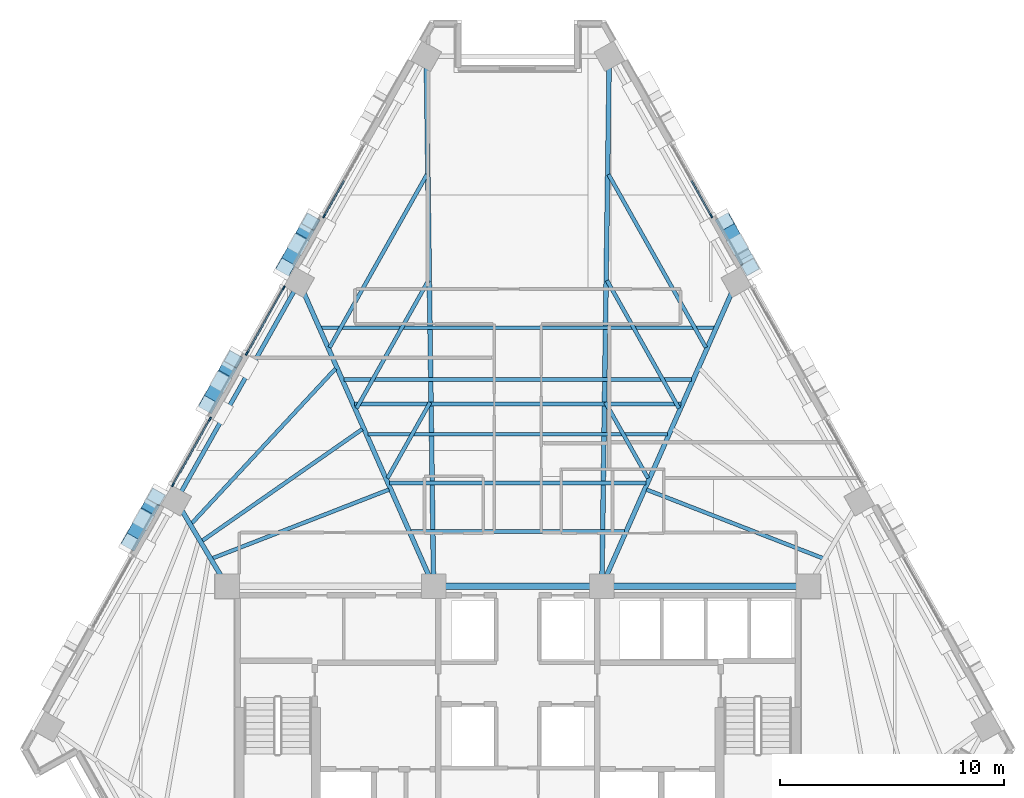
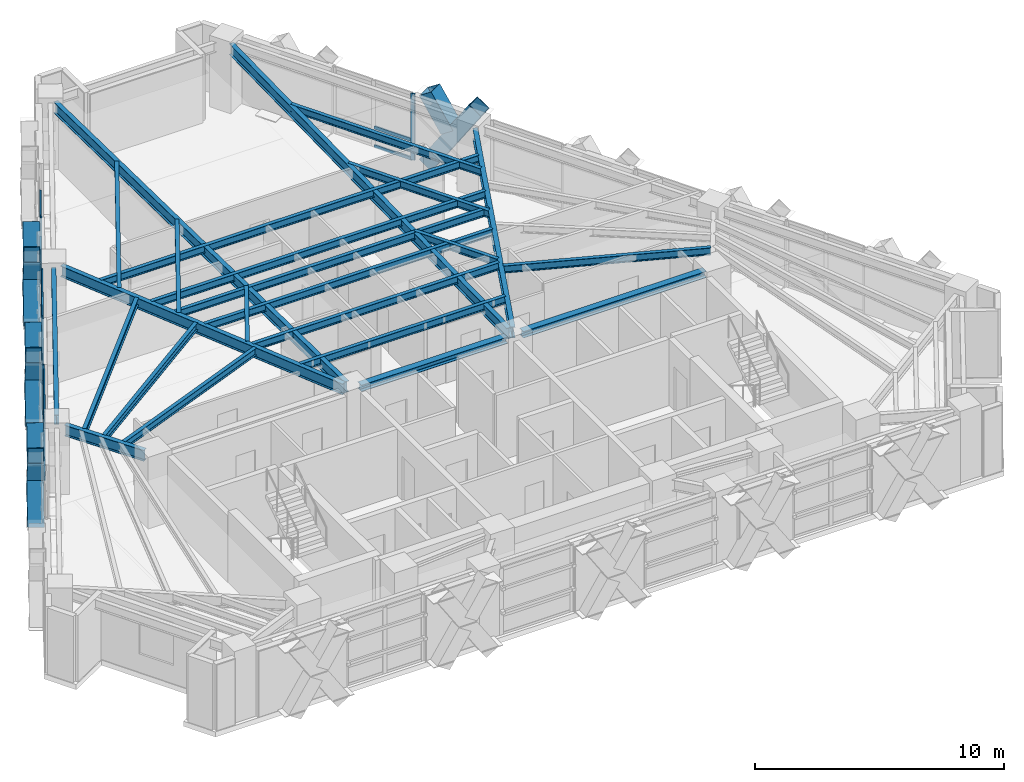
# One storey, part 3 of 14: 28 members, 24 beams, 4 elements without a shape of their own.
"""IFC4 building model written with IfcOpenShell, lengths in metres."""

from ifc_helpers import new_model, si_unit, direction, frame, origin, origin_2d, place, context, subcontext, project, spatial, rectangle, hollow_rectangle, i_section, extrude, material, material_profile, profile_set, type_object, element, aggregate, save


model = new_model("IFC4")

# Units and contexts
model_context = context("Model", 3, precision=1e-05, world=origin(), true_north=direction((0.0, 1.0)))
body_context = subcontext(model_context, "Body", "Model", "MODEL_VIEW")
ifc_project = project(units=[si_unit("LENGTHUNIT", "METRE"), si_unit("AREAUNIT", "SQUARE_METRE"), si_unit("VOLUMEUNIT", "CUBIC_METRE"), si_unit("PLANEANGLEUNIT", "RADIAN"), si_unit("MASSUNIT", "GRAM", prefix="KILO")], contexts=[model_context])

# Site, building, storey
site_placement = place(None, origin())
site = spatial("IfcSite", under=ifc_project, at=site_placement, CompositionType="ELEMENT")
building_placement = place(site_placement, origin())
building = spatial("IfcBuilding", under=site, at=building_placement, Name="Quenlor Broadcast Tower", CompositionType="ELEMENT")
storey_placement = place(building_placement, frame((0.0, 0.0, 165.0)))
storey = spatial("IfcBuildingStorey", under=building, at=storey_placement, Name="L45", CompositionType="ELEMENT", Elevation=165.0)

# Curtain wall, member
ifc_material_1 = material(Name="Architectural Terracotta and Low-E Glazing", Category="masonry")
curtain_wall_type = type_object("IfcCurtainWallType", Name="Unitised Terracotta Curtain Wall System Z3", PredefinedType="NOTDEFINED", material=ifc_material_1)
curtain_wall_1_placement = place(storey_placement, origin())
curtain_wall_1 = element("IfcCurtainWall", 1, at=curtain_wall_1_placement, inside=storey, type_object=curtain_wall_type, Name="L45 Curtain Wall CW3 (L45-NEA-G1)", PredefinedType="NOTDEFINED")
ifc_material_2 = material(Name="Aluminium 6063-T6", Category="aluminium")
ifc_material_profile_1 = material_profile(ifc_material_2, rectangle(XDim=0.070068359375, YDim=0.18994140625, at=origin_2d()))
ifc_profile_set_1 = profile_set([ifc_material_profile_1], Name="Aluminium 6063-T6 MULL70x190")
member_type_1 = type_object("IfcMemberType", Name="CW3 Aluminium Mullion MULL_CW3", PredefinedType="MULLION", material=ifc_profile_set_1)
member_1_placement = place(storey_placement, frame((8.62353515625, 11.71240234375, 0.0), z_axis=(0.0, 0.0, 1.0), x_axis=(0.871570530637, 0.490270139949, 0.0)))
member_1 = element("IfcMember", 2, at=member_1_placement, type_object=member_type_1, Name="CW3 mullion 3", PredefinedType="MULLION", context=body_context, shape_type="SweptSolid", body=[
    extrude(rectangle(XDim=0.070068359375, YDim=0.18994140625, at=origin_2d()), origin(), (0.0, 0.0, 1.0), 3.25),
])

curtain_wall_2_placement = place(storey_placement, origin())
curtain_wall_2 = element("IfcCurtainWall", 3, at=curtain_wall_2_placement, inside=storey, type_object=curtain_wall_type, Name="L45 Curtain Wall CW3 (L45-NWC-G1)", PredefinedType="NOTDEFINED")
member_2_placement = place(storey_placement, frame((-8.62353515625, 11.71240234375, 0.0), z_axis=(0.0, 0.0, 1.0), x_axis=(-0.871570530637, 0.490270139949, 0.0)))
member_2 = element("IfcMember", 4, at=member_2_placement, type_object=member_type_1, Name="CW3 mullion 1", PredefinedType="MULLION", context=body_context, shape_type="SweptSolid", body=[
    extrude(rectangle(XDim=0.070068359375, YDim=0.18994140625, at=origin_2d()), origin(), (0.0, 0.0, 1.0), 3.25),
])

# Curtain wall, members
curtain_wall_3_placement = place(storey_placement, origin())
curtain_wall_3 = element("IfcCurtainWall", 5, at=curtain_wall_3_placement, inside=storey, type_object=curtain_wall_type, Name="L45 Curtain Wall CW3 (L45-NW-G1)", PredefinedType="NOTDEFINED")
member_3_placement = place(storey_placement, frame((-15.365966796875, -0.274169921875, 0.0), z_axis=(0.0, 0.0, 1.0), x_axis=(-0.871571633105, 0.490268180048, 0.0)))
member_3 = element("IfcMember", 6, at=member_3_placement, type_object=member_type_1, Name="CW3 mullion 1", PredefinedType="MULLION", context=body_context, shape_type="SweptSolid", body=[
    extrude(rectangle(XDim=0.070068359375, YDim=0.18994140625, at=origin_2d()), origin(), (0.0, 0.0, 1.0), 3.25),
])
member_4_placement = place(storey_placement, frame((-13.723388671875, 2.64599609375, 0.0), z_axis=(0.0, 0.0, 1.0), x_axis=(-0.871571633105, 0.490268180048, 0.0)))
member_4 = element("IfcMember", 7, at=member_4_placement, type_object=member_type_1, Name="CW3 mullion 2", PredefinedType="MULLION", context=body_context, shape_type="SweptSolid", body=[
    extrude(rectangle(XDim=0.070068359375, YDim=0.18994140625, at=origin_2d()), origin(), (0.0, 0.0, 1.0), 3.25),
])

curtain_wall_4_placement = place(storey_placement, origin())
curtain_wall_4 = element("IfcCurtainWall", 8, at=curtain_wall_4_placement, inside=storey, type_object=curtain_wall_type, Name="L45 Curtain Wall CW3 (L45-NW-G2)", PredefinedType="NOTDEFINED")
member_5_placement = place(storey_placement, frame((-12.071533203125, 5.582275390625, 0.0), z_axis=(0.0, 0.0, 1.0), x_axis=(-0.871578660222, 0.490255687418, 0.0)))
member_5 = element("IfcMember", 9, at=member_5_placement, type_object=member_type_1, Name="CW3 mullion 1", PredefinedType="MULLION", context=body_context, shape_type="SweptSolid", body=[
    extrude(rectangle(XDim=0.070068359375, YDim=0.18994140625, at=origin_2d()), origin(), (0.0, 0.0, 1.0), 3.25),
])
member_6_placement = place(storey_placement, frame((-10.428955078125, 8.50244140625, 0.0), z_axis=(0.0, 0.0, 1.0), x_axis=(-0.871578660222, 0.490255687418, 0.0)))
member_6 = element("IfcMember", 10, at=member_6_placement, type_object=member_type_1, Name="CW3 mullion 2", PredefinedType="MULLION", context=body_context, shape_type="SweptSolid", body=[
    extrude(rectangle(XDim=0.070068359375, YDim=0.18994140625, at=origin_2d()), origin(), (0.0, 0.0, 1.0), 3.25),
])

# Member
ifc_material_3 = material(Name="Aluminium 6063-T6", Category="aluminium")
ifc_material_profile_2 = material_profile(ifc_material_3, rectangle(XDim=0.070068359375, YDim=0.155029296875, at=origin_2d()))
ifc_profile_set_2 = profile_set([ifc_material_profile_2], Name="Aluminium 6063-T6 TRAN70x155")
member_type_2 = type_object("IfcMemberType", Name="CW3 Aluminium Transom TRAN_CW3", PredefinedType="USERDEFINED", material=ifc_profile_set_2)
member_7_placement = place(storey_placement, frame((7.742431640625, 13.278564453125, 0.034912109375), z_axis=(0.490353334151, -0.871523727553, 0.0), x_axis=(0.871523727553, 0.490353334151, 0.0)))
member_7 = element("IfcMember", 11, at=member_7_placement, type_object=member_type_2, Name="CW3 transom 2.1", ObjectType="TRANSOM", PredefinedType="USERDEFINED", context=body_context, shape_type="SweptSolid", body=[
    extrude(rectangle(XDim=0.070068359375, YDim=0.155029296875, at=origin_2d()), origin(), (0.0, 0.0, 1.0), 1.761962890625),
])

member_8_placement = place(storey_placement, frame((7.742431640625, 13.278564453125, 0.949951171875), z_axis=(0.490353334151, -0.871523727553, 0.0), x_axis=(0.871523727553, 0.490353334151, 0.0)))
member_8 = element("IfcMember", 12, at=member_8_placement, type_object=member_type_2, Name="CW3 transom 2.2", ObjectType="TRANSOM", PredefinedType="USERDEFINED", context=body_context, shape_type="SweptSolid", body=[
    extrude(rectangle(XDim=0.070068359375, YDim=0.155029296875, at=origin_2d()), origin(), (0.0, 0.0, 1.0), 1.761962890625),
])

aggregate(curtain_wall_1, [member_1, member_7, member_8])

member_9_placement = place(storey_placement, frame((-8.6064453125, 11.742919921875, 0.034912109375), z_axis=(0.490353334151, 0.871523727553, 0.0), x_axis=(-0.871523727553, 0.490353334151, 0.0)))
member_9 = element("IfcMember", 13, at=member_9_placement, type_object=member_type_2, Name="CW3 transom 1.1", ObjectType="TRANSOM", PredefinedType="USERDEFINED", context=body_context, shape_type="SweptSolid", body=[
    extrude(rectangle(XDim=0.070068359375, YDim=0.155029296875, at=origin_2d()), origin(), (0.0, 0.0, 1.0), 1.761962890625),
])

member_10_placement = place(storey_placement, frame((-8.6064453125, 11.742919921875, 0.949951171875), z_axis=(0.490353334151, 0.871523727553, 0.0), x_axis=(-0.871523727553, 0.490353334151, 0.0)))
member_10 = element("IfcMember", 14, at=member_10_placement, type_object=member_type_2, Name="CW3 transom 1.2", ObjectType="TRANSOM", PredefinedType="USERDEFINED", context=body_context, shape_type="SweptSolid", body=[
    extrude(rectangle(XDim=0.070068359375, YDim=0.155029296875, at=origin_2d()), origin(), (0.0, 0.0, 1.0), 1.761962890625),
])

member_11_placement = place(storey_placement, frame((-8.6064453125, 11.742919921875, 3.215087890625), z_axis=(0.490353334151, 0.871523727553, 0.0), x_axis=(-0.871523727553, 0.490353334151, 0.0)))
member_11 = element("IfcMember", 15, at=member_11_placement, type_object=member_type_2, Name="CW3 transom 1.3", ObjectType="TRANSOM", PredefinedType="USERDEFINED", context=body_context, shape_type="SweptSolid", body=[
    extrude(rectangle(XDim=0.070068359375, YDim=0.155029296875, at=origin_2d()), origin(), (0.0, 0.0, 1.0), 1.761962890625),
])

aggregate(curtain_wall_2, [member_2, member_9, member_10, member_11])

member_12_placement = place(storey_placement, frame((-15.348876953125, -0.24365234375, 0.034912109375), z_axis=(0.490293039863, 0.871557648731, 0.0), x_axis=(-0.871557648731, 0.490293039863, 0.0)))
member_12 = element("IfcMember", 16, at=member_12_placement, type_object=member_type_2, Name="CW3 transom 1.1", ObjectType="TRANSOM", PredefinedType="USERDEFINED", context=body_context, shape_type="SweptSolid", body=[
    extrude(rectangle(XDim=0.070068359375, YDim=0.155029296875, at=origin_2d()), origin(), (0.0, 0.0, 1.0), 3.280517578125),
])

member_13_placement = place(storey_placement, frame((-15.348876953125, -0.24365234375, 0.949951171875), z_axis=(0.490293039863, 0.871557648731, 0.0), x_axis=(-0.871557648731, 0.490293039863, 0.0)))
member_13 = element("IfcMember", 17, at=member_13_placement, type_object=member_type_2, Name="CW3 transom 1.2", ObjectType="TRANSOM", PredefinedType="USERDEFINED", context=body_context, shape_type="SweptSolid", body=[
    extrude(rectangle(XDim=0.070068359375, YDim=0.155029296875, at=origin_2d()), origin(), (0.0, 0.0, 1.0), 3.280517578125),
])

member_14_placement = place(storey_placement, frame((-15.348876953125, -0.24365234375, 3.215087890625), z_axis=(0.490293039863, 0.871557648731, 0.0), x_axis=(-0.871557648731, 0.490293039863, 0.0)))
member_14 = element("IfcMember", 18, at=member_14_placement, type_object=member_type_2, Name="CW3 transom 1.3", ObjectType="TRANSOM", PredefinedType="USERDEFINED", context=body_context, shape_type="SweptSolid", body=[
    extrude(rectangle(XDim=0.070068359375, YDim=0.155029296875, at=origin_2d()), origin(), (0.0, 0.0, 1.0), 3.280517578125),
])

aggregate(curtain_wall_3, [member_3, member_4, member_12, member_13, member_14])

member_15_placement = place(storey_placement, frame((-12.054443359375, 5.61279296875, 0.034912109375), z_axis=(0.490236504766, 0.871589450025, 0.0), x_axis=(-0.871589450025, 0.490236504766, 0.0)))
member_15 = element("IfcMember", 19, at=member_15_placement, type_object=member_type_2, Name="CW3 transom 1.1", ObjectType="TRANSOM", PredefinedType="USERDEFINED", context=body_context, shape_type="SweptSolid", body=[
    extrude(rectangle(XDim=0.070068359375, YDim=0.155029296875, at=origin_2d()), origin(), (0.0, 0.0, 1.0), 3.2802734375),
])

member_16_placement = place(storey_placement, frame((-12.054443359375, 5.61279296875, 0.949951171875), z_axis=(0.490236504766, 0.871589450025, 0.0), x_axis=(-0.871589450025, 0.490236504766, 0.0)))
member_16 = element("IfcMember", 20, at=member_16_placement, type_object=member_type_2, Name="CW3 transom 1.2", ObjectType="TRANSOM", PredefinedType="USERDEFINED", context=body_context, shape_type="SweptSolid", body=[
    extrude(rectangle(XDim=0.070068359375, YDim=0.155029296875, at=origin_2d()), origin(), (0.0, 0.0, 1.0), 3.2802734375),
])

member_17_placement = place(storey_placement, frame((-12.054443359375, 5.61279296875, 3.215087890625), z_axis=(0.490236504766, 0.871589450025, 0.0), x_axis=(-0.871589450025, 0.490236504766, 0.0)))
member_17 = element("IfcMember", 21, at=member_17_placement, type_object=member_type_2, Name="CW3 transom 1.3", ObjectType="TRANSOM", PredefinedType="USERDEFINED", context=body_context, shape_type="SweptSolid", body=[
    extrude(rectangle(XDim=0.070068359375, YDim=0.155029296875, at=origin_2d()), origin(), (0.0, 0.0, 1.0), 3.2802734375),
])

aggregate(curtain_wall_4, [member_5, member_6, member_15, member_16, member_17])

# Beams
ifc_material_4 = material(Name="Steel S355", Category="steel")
ifc_material_profile_3 = material_profile(ifc_material_4, i_section(OverallWidth=0.304931640625, OverallDepth=0.30810546875, WebThickness=0.010009765625, FlangeThickness=0.015380859375, FilletRadius=0.0166015625, at=origin_2d()))
ifc_profile_set_3 = profile_set([ifc_material_profile_3], Name="Steel S355 310UC96.8")
beam_type_1 = type_object("IfcBeamType", Name="Core Header Beam Steel S355 310UC96.8", PredefinedType="BEAM", material=ifc_profile_set_3)
beam_1_placement = place(storey_placement, frame((-3.389892578125, -4.800048828125, 3.095947265625), z_axis=(1.0, 0.0, 0.0), x_axis=(0.0, 1.0, 0.0)))
element("IfcBeam", 22, at=beam_1_placement, inside=storey, type_object=beam_type_1, Name="L45 Core Header Beam 2", PredefinedType="BEAM", context=body_context, shape_type="SweptSolid", body=[
    extrude(i_section(OverallWidth=0.304931640625, OverallDepth=0.30810546875, WebThickness=0.010009765625, FlangeThickness=0.015380859375, FilletRadius=0.0166015625, at=origin_2d()), origin(), (0.0, 0.0, 1.0), 6.77978515625),
])
ifc_material_5 = material(Name="Steel S355", Category="steel")
ifc_material_profile_4 = material_profile(ifc_material_5, i_section(OverallWidth=0.306884765625, OverallDepth=0.314697265625, WebThickness=0.011962890625, FlangeThickness=0.018798828125, FilletRadius=0.0166015625, at=origin_2d()))
ifc_profile_set_4 = profile_set([ifc_material_profile_4], Name="Steel S355 310UC118")
beam_type_2 = type_object("IfcBeamType", Name="Core Tie Beam Steel S355 310UC118", PredefinedType="BEAM", material=ifc_profile_set_4)
beam_2_placement = place(storey_placement, frame((4.110107421875, -4.800048828125, 3.0927734375), z_axis=(1.0, 0.0, 0.0), x_axis=(0.0, 1.0, 0.0)))
element("IfcBeam", 23, at=beam_2_placement, inside=storey, type_object=beam_type_2, Name="L45 Core Tie Beam 3", PredefinedType="BEAM", context=body_context, shape_type="SweptSolid", body=[
    extrude(i_section(OverallWidth=0.306884765625, OverallDepth=0.314697265625, WebThickness=0.011962890625, FlangeThickness=0.018798828125, FilletRadius=0.0166015625, at=origin_2d()), origin(), (0.0, 0.0, 1.0), 8.47998046875),
])

# Members
ifc_material_6 = material(Name="Steel S355", Category="steel")
ifc_material_profile_5 = material_profile(ifc_material_6, hollow_rectangle(XDim=0.679931640625, YDim=0.679931640625, WallThickness=0.02490234375, at=origin_2d()))
ifc_profile_set_5 = profile_set([ifc_material_profile_5], Name="Steel S355 RHS680x680x25")
member_type_3 = type_object("IfcMemberType", Name="Perimeter Diagonal Lattice Brace Z3-Z4 Steel S355 RHS680x25", PredefinedType="BRACE", material=ifc_profile_set_5)
member_18_placement = place(storey_placement, frame((9.225830078125, 11.447265625, -0.1201171875), z_axis=(0.27060310517, -0.481001091283, 0.833913610428), x_axis=(0.871544572467, 0.490316283845, 0.0)))
element("IfcMember", 24, at=member_18_placement, inside=storey, type_object=member_type_3, Name="L45 Perimeter Diamond Lattice NE-C2XA", PredefinedType="BRACE", context=body_context, shape_type="SweptSolid", body=[
    extrude(hollow_rectangle(XDim=0.679931640625, YDim=0.679931640625, WallThickness=0.02490234375, at=origin_2d()), origin(), (0.0, 0.0, 1.0), 4.197021484375),
])
member_19_placement = place(storey_placement, frame((9.72607421875, 10.55810546875, 1.83837890625), z_axis=(-0.270616433058, 0.481007832697, 0.833905396938), x_axis=(-0.871537189362, -0.490329407194, 0.0)))
element("IfcMember", 25, at=member_19_placement, inside=storey, type_object=member_type_3, Name="L45 Perimeter Diamond Lattice NE-C2XB2", PredefinedType="BRACE", context=body_context, shape_type="SweptSolid", body=[
    extrude(hollow_rectangle(XDim=0.679931640625, YDim=0.679931640625, WallThickness=0.02490234375, at=origin_2d()), origin(), (0.0, 0.0, 1.0), 1.8486328125),
])
member_20_placement = place(storey_placement, frame((-17.257568359375, -2.83154296875, -0.1201171875), z_axis=(0.2705491942, 0.481008661973, 0.833926735766), x_axis=(-0.871589611547, 0.490236217596, 0.0)))
element("IfcMember", 26, at=member_20_placement, inside=storey, type_object=member_type_3, Name="L45 Perimeter Diamond Lattice NW-C2XA", PredefinedType="BRACE", context=body_context, shape_type="SweptSolid", body=[
    extrude(hollow_rectangle(XDim=0.679931640625, YDim=0.679931640625, WallThickness=0.02490234375, at=origin_2d()), origin(), (0.0, 0.0, 1.0), 4.197021484375),
])
member_21_placement = place(storey_placement, frame((-16.1220703125, -0.812744140625, -0.1201171875), z_axis=(-0.270616433058, -0.481007832697, 0.833905396938), x_axis=(0.871537189362, -0.490329407194, 0.0)))
element("IfcMember", 27, at=member_21_placement, inside=storey, type_object=member_type_3, Name="L45 Perimeter Diamond Lattice NW-C2XB1", PredefinedType="BRACE", context=body_context, shape_type="SweptSolid", body=[
    extrude(hollow_rectangle(XDim=0.679931640625, YDim=0.679931640625, WallThickness=0.02490234375, at=origin_2d()), origin(), (0.0, 0.0, 1.0), 1.8486328125),
])
member_22_placement = place(storey_placement, frame((-16.757568359375, -1.9423828125, 1.83837890625), z_axis=(-0.270494026149, -0.481025021111, 0.833935195853), x_axis=(0.871639445711, -0.490147607034, 0.0)))
element("IfcMember", 28, at=member_22_placement, inside=storey, type_object=member_type_3, Name="L45 Perimeter Diamond Lattice NW-C2XB2", PredefinedType="BRACE", context=body_context, shape_type="SweptSolid", body=[
    extrude(hollow_rectangle(XDim=0.679931640625, YDim=0.679931640625, WallThickness=0.02490234375, at=origin_2d()), origin(), (0.0, 0.0, 1.0), 1.848388671875),
])
member_23_placement = place(storey_placement, frame((-13.8095703125, 3.298583984375, -0.1201171875), z_axis=(0.270556764115, 0.480963948764, 0.833950068878), x_axis=(-0.871564276035, 0.49028125881, 0.0)))
element("IfcMember", 29, at=member_23_placement, inside=storey, type_object=member_type_3, Name="L45 Perimeter Diamond Lattice NW-C3XA", PredefinedType="BRACE", context=body_context, shape_type="SweptSolid", body=[
    extrude(hollow_rectangle(XDim=0.679931640625, YDim=0.679931640625, WallThickness=0.02490234375, at=origin_2d()), origin(), (0.0, 0.0, 1.0), 4.19677734375),
])
member_24_placement = place(storey_placement, frame((-12.674072265625, 5.317138671875, -0.1201171875), z_axis=(-0.270616433058, -0.481007832697, 0.833905396938), x_axis=(0.871537189362, -0.490329407194, 0.0)))
element("IfcMember", 30, at=member_24_placement, inside=storey, type_object=member_type_3, Name="L45 Perimeter Diamond Lattice NW-C3XB1", PredefinedType="BRACE", context=body_context, shape_type="SweptSolid", body=[
    extrude(hollow_rectangle(XDim=0.679931640625, YDim=0.679931640625, WallThickness=0.02490234375, at=origin_2d()), origin(), (0.0, 0.0, 1.0), 1.8486328125),
])
member_25_placement = place(storey_placement, frame((-13.309326171875, 4.1875, 1.83837890625), z_axis=(-0.270633624024, -0.480906307989, 0.833958370954), x_axis=(0.871479637717, -0.49043168846, 0.0)))
element("IfcMember", 31, at=member_25_placement, inside=storey, type_object=member_type_3, Name="L45 Perimeter Diamond Lattice NW-C3XB2", PredefinedType="BRACE", context=body_context, shape_type="SweptSolid", body=[
    extrude(hollow_rectangle(XDim=0.679931640625, YDim=0.679931640625, WallThickness=0.02490234375, at=origin_2d()), origin(), (0.0, 0.0, 1.0), 1.848388671875),
])
member_26_placement = place(storey_placement, frame((-10.361572265625, 9.428466796875, -0.1201171875), z_axis=(0.27060310517, 0.481001091283, 0.833913610428), x_axis=(-0.871544572467, 0.490316283845, 0.0)))
element("IfcMember", 32, at=member_26_placement, inside=storey, type_object=member_type_3, Name="L45 Perimeter Diamond Lattice NW-C4XA", PredefinedType="BRACE", context=body_context, shape_type="SweptSolid", body=[
    extrude(hollow_rectangle(XDim=0.679931640625, YDim=0.679931640625, WallThickness=0.02490234375, at=origin_2d()), origin(), (0.0, 0.0, 1.0), 4.197021484375),
])
member_27_placement = place(storey_placement, frame((-9.225830078125, 11.447265625, -0.1201171875), z_axis=(-0.270616433058, -0.481007832697, 0.833905396938), x_axis=(0.871537189362, -0.490329407194, 0.0)))
element("IfcMember", 33, at=member_27_placement, inside=storey, type_object=member_type_3, Name="L45 Perimeter Diamond Lattice NW-C4XB1", PredefinedType="BRACE", context=body_context, shape_type="SweptSolid", body=[
    extrude(hollow_rectangle(XDim=0.679931640625, YDim=0.679931640625, WallThickness=0.02490234375, at=origin_2d()), origin(), (0.0, 0.0, 1.0), 1.8486328125),
])
member_28_placement = place(storey_placement, frame((-9.861328125, 10.3173828125, 1.83837890625), z_axis=(-0.270633624024, -0.480906307989, 0.833958370954), x_axis=(0.871479637717, -0.49043168846, 0.0)))
element("IfcMember", 34, at=member_28_placement, inside=storey, type_object=member_type_3, Name="L45 Perimeter Diamond Lattice NW-C4XB2", PredefinedType="BRACE", context=body_context, shape_type="SweptSolid", body=[
    extrude(hollow_rectangle(XDim=0.679931640625, YDim=0.679931640625, WallThickness=0.02490234375, at=origin_2d()), origin(), (0.0, 0.0, 1.0), 1.848388671875),
])

# Beams
ifc_material_7 = material(Name="Steel S355", Category="steel")
ifc_material_profile_6 = material_profile(ifc_material_7, i_section(OverallWidth=0.19091796875, OverallDepth=0.46044921875, WebThickness=0.010009765625, FlangeThickness=0.01611328125, FilletRadius=0.011474609375, at=origin_2d()))
ifc_profile_set_6 = profile_set([ifc_material_profile_6], Name="Steel S355 460UB82.1")
beam_type_3 = type_object("IfcBeamType", Name="Perimeter Spandrel Beam Z3 Steel S355 460UB82.1", PredefinedType="SPANDREL", material=ifc_profile_set_6)
beam_3_placement = place(storey_placement, frame((-9.944091796875, 8.39599609375, 3.019775390625), z_axis=(-0.490252288562, -0.871580572041, 0.0), x_axis=(0.871580572041, -0.490252288562, 0.0)))
element("IfcBeam", 35, at=beam_3_placement, inside=storey, type_object=beam_type_3, Name="L45 Spandrel Beam NW2-NW3", PredefinedType="SPANDREL", context=body_context, shape_type="SweptSolid", body=[
    extrude(i_section(OverallWidth=0.19091796875, OverallDepth=0.46044921875, WebThickness=0.010009765625, FlangeThickness=0.01611328125, FilletRadius=0.011474609375, at=origin_2d()), origin(), (0.0, 0.0, 1.0), 10.359619140625),
])
ifc_material_8 = material(Name="Steel S355", Category="steel")
ifc_material_profile_7 = material_profile(ifc_material_8, i_section(OverallWidth=0.172119140625, OverallDepth=0.358642578125, WebThickness=0.008056640625, FlangeThickness=0.012939453125, FilletRadius=0.011474609375, at=origin_2d()))
ifc_profile_set_7 = profile_set([ifc_material_profile_7], Name="Steel S355 360UB56.7")
beam_type_4 = type_object("IfcBeamType", Name="Tower Composite Joist Z2-Z3 Steel S355 360UB56.7", PredefinedType="JOIST", material=ifc_profile_set_7)
beam_4_placement = place(storey_placement, frame((-4.748779296875, -2.3603515625, 3.07080078125), z_axis=(1.0, 0.0, 0.0), x_axis=(0.0, 1.0, 0.0)))
element("IfcBeam", 36, at=beam_4_placement, inside=storey, type_object=beam_type_4, Name="L45 Secondary Composite Joist 1", PredefinedType="JOIST", context=body_context, shape_type="SweptSolid", body=[
    extrude(i_section(OverallWidth=0.172119140625, OverallDepth=0.358642578125, WebThickness=0.008056640625, FlangeThickness=0.012939453125, FilletRadius=0.011474609375, at=origin_2d()), origin(), (0.0, 0.0, 1.0), 9.49755859375),
])
beam_5_placement = place(storey_placement, frame((-7.265869140625, 3.33203125, 3.07080078125), z_axis=(1.0, 0.0, 0.0), x_axis=(0.0, 1.0, 0.0)))
element("IfcBeam", 37, at=beam_5_placement, inside=storey, type_object=beam_type_4, Name="L45 Secondary Composite Joist 2", PredefinedType="JOIST", context=body_context, shape_type="SweptSolid", body=[
    extrude(i_section(OverallWidth=0.172119140625, OverallDepth=0.358642578125, WebThickness=0.008056640625, FlangeThickness=0.012939453125, FilletRadius=0.011474609375, at=origin_2d()), origin(), (0.0, 0.0, 1.0), 14.53173828125),
])
beam_6_placement = place(storey_placement, frame((-5.70751953125, -0.19189453125, 3.07080078125), z_axis=(1.0, 0.0, 0.0), x_axis=(0.0, 1.0, 0.0)))
element("IfcBeam", 38, at=beam_6_placement, inside=storey, type_object=beam_type_4, Name="L45 Secondary Composite Joist 3", PredefinedType="JOIST", context=body_context, shape_type="SweptSolid", body=[
    extrude(i_section(OverallWidth=0.172119140625, OverallDepth=0.358642578125, WebThickness=0.008056640625, FlangeThickness=0.012939453125, FilletRadius=0.011474609375, at=origin_2d()), origin(), (0.0, 0.0, 1.0), 11.4150390625),
])
beam_7_placement = place(storey_placement, frame((-6.66650390625, 1.976806640625, 3.07080078125), z_axis=(1.0, 0.0, 0.0), x_axis=(0.0, 1.0, 0.0)))
element("IfcBeam", 39, at=beam_7_placement, inside=storey, type_object=beam_type_4, Name="L45 Secondary Composite Joist 4", PredefinedType="JOIST", context=body_context, shape_type="SweptSolid", body=[
    extrude(i_section(OverallWidth=0.172119140625, OverallDepth=0.358642578125, WebThickness=0.008056640625, FlangeThickness=0.012939453125, FilletRadius=0.011474609375, at=origin_2d()), origin(), (0.0, 0.0, 1.0), 13.3330078125),
])
beam_8_placement = place(storey_placement, frame((-7.7451171875, 4.416259765625, 3.07080078125), z_axis=(1.0, 0.0, 0.0), x_axis=(0.0, 1.0, 0.0)))
element("IfcBeam", 40, at=beam_8_placement, inside=storey, type_object=beam_type_4, Name="L45 Secondary Composite Joist 5", PredefinedType="JOIST", context=body_context, shape_type="SweptSolid", body=[
    extrude(i_section(OverallWidth=0.172119140625, OverallDepth=0.358642578125, WebThickness=0.008056640625, FlangeThickness=0.012939453125, FilletRadius=0.011474609375, at=origin_2d()), origin(), (0.0, 0.0, 1.0), 15.490234375),
])
beam_9_placement = place(storey_placement, frame((-8.763916015625, 6.72021484375, 3.07080078125), z_axis=(1.0, 0.0, 0.0), x_axis=(0.0, 1.0, 0.0)))
element("IfcBeam", 41, at=beam_9_placement, inside=storey, type_object=beam_type_4, Name="L45 Secondary Composite Joist 6", PredefinedType="JOIST", context=body_context, shape_type="SweptSolid", body=[
    extrude(i_section(OverallWidth=0.172119140625, OverallDepth=0.358642578125, WebThickness=0.008056640625, FlangeThickness=0.012939453125, FilletRadius=0.011474609375, at=origin_2d()), origin(), (0.0, 0.0, 1.0), 17.52783203125),
])
beam_10_placement = place(storey_placement, frame((-13.60302734375, -3.552001953125, 3.07080078125), z_axis=(0.931881865797, 0.362761889121, 0.0), x_axis=(-0.362761889121, 0.931881865797, 0.0)))
element("IfcBeam", 42, at=beam_10_placement, inside=storey, type_object=beam_type_4, Name="L45 Secondary Composite Joist 7", PredefinedType="JOIST", context=body_context, shape_type="SweptSolid", body=[
    extrude(i_section(OverallWidth=0.172119140625, OverallDepth=0.358642578125, WebThickness=0.008056640625, FlangeThickness=0.012939453125, FilletRadius=0.011474609375, at=origin_2d()), origin(), (0.0, 0.0, 1.0), 8.435546875),
])
beam_11_placement = place(storey_placement, frame((-14.06689453125, -2.7734375, 3.07080078125), z_axis=(0.82026568394, 0.57198269882, 0.0), x_axis=(-0.57198269882, 0.82026568394, 0.0)))
element("IfcBeam", 43, at=beam_11_placement, inside=storey, type_object=beam_type_4, Name="L45 Secondary Composite Joist 8", PredefinedType="JOIST", context=body_context, shape_type="SweptSolid", body=[
    extrude(i_section(OverallWidth=0.172119140625, OverallDepth=0.358642578125, WebThickness=0.008056640625, FlangeThickness=0.012939453125, FilletRadius=0.011474609375, at=origin_2d()), origin(), (0.0, 0.0, 1.0), 8.698486328125),
])
beam_12_placement = place(storey_placement, frame((-14.53271484375, -1.998779296875, 3.07080078125), z_axis=(0.680873505991, 0.732401030065, 0.0), x_axis=(-0.732401030065, 0.680873505991, 0.0)))
element("IfcBeam", 44, at=beam_12_placement, inside=storey, type_object=beam_type_4, Name="L45 Secondary Composite Joist 9", PredefinedType="JOIST", context=body_context, shape_type="SweptSolid", body=[
    extrude(i_section(OverallWidth=0.172119140625, OverallDepth=0.358642578125, WebThickness=0.008056640625, FlangeThickness=0.012939453125, FilletRadius=0.011474609375, at=origin_2d()), origin(), (0.0, 0.0, 1.0), 9.419189453125),
])
beam_13_placement = place(storey_placement, frame((13.60302734375, -3.552001953125, 3.07080078125), z_axis=(-0.931881865797, 0.362761889121, 0.0), x_axis=(-0.362761889121, -0.931881865797, 0.0)))
element("IfcBeam", 45, at=beam_13_placement, inside=storey, type_object=beam_type_4, Name="L45 Secondary Composite Joist 10", PredefinedType="JOIST", context=body_context, shape_type="SweptSolid", body=[
    extrude(i_section(OverallWidth=0.172119140625, OverallDepth=0.358642578125, WebThickness=0.008056640625, FlangeThickness=0.012939453125, FilletRadius=0.011474609375, at=origin_2d()), origin(), (0.0, 0.0, 1.0), 8.435546875),
])
beam_14_placement = place(storey_placement, frame((-3.904541015625, 3.39794921875, 3.07080078125), z_axis=(-0.49026422458, -0.871573858085, 0.0), x_axis=(0.871573858085, -0.49026422458, 0.0)))
element("IfcBeam", 46, at=beam_14_placement, inside=storey, type_object=beam_type_4, Name="L45 Secondary Composite Joist 25", PredefinedType="JOIST", context=body_context, shape_type="SweptSolid", body=[
    extrude(i_section(OverallWidth=0.172119140625, OverallDepth=0.358642578125, WebThickness=0.008056640625, FlangeThickness=0.012939453125, FilletRadius=0.011474609375, at=origin_2d()), origin(), (0.0, 0.0, 1.0), 3.88330078125),
])
beam_15_placement = place(storey_placement, frame((-3.980224609375, 8.8310546875, 3.07080078125), z_axis=(-0.490266556378, -0.871572546434, 0.0), x_axis=(0.871572546434, -0.490266556378, 0.0)))
element("IfcBeam", 47, at=beam_15_placement, inside=storey, type_object=beam_type_4, Name="L45 Secondary Composite Joist 26", PredefinedType="JOIST", context=body_context, shape_type="SweptSolid", body=[
    extrude(i_section(OverallWidth=0.172119140625, OverallDepth=0.358642578125, WebThickness=0.008056640625, FlangeThickness=0.012939453125, FilletRadius=0.011474609375, at=origin_2d()), origin(), (0.0, 0.0, 1.0), 6.54052734375),
])
beam_16_placement = place(storey_placement, frame((-4.046142578125, 13.555419921875, 3.07080078125), z_axis=(-0.490254691431, -0.871579220455, 0.0), x_axis=(0.871579220455, -0.490254691431, 0.0)))
element("IfcBeam", 48, at=beam_16_placement, inside=storey, type_object=beam_type_4, Name="L45 Secondary Composite Joist 27", PredefinedType="JOIST", context=body_context, shape_type="SweptSolid", body=[
    extrude(i_section(OverallWidth=0.172119140625, OverallDepth=0.358642578125, WebThickness=0.008056640625, FlangeThickness=0.012939453125, FilletRadius=0.011474609375, at=origin_2d()), origin(), (0.0, 0.0, 1.0), 8.850830078125),
])
beam_17_placement = place(storey_placement, frame((3.904541015625, 3.39794921875, 3.07080078125), z_axis=(0.49026422458, -0.871573858085, 0.0), x_axis=(0.871573858085, 0.49026422458, 0.0)))
element("IfcBeam", 49, at=beam_17_placement, inside=storey, type_object=beam_type_4, Name="L45 Secondary Composite Joist 28", PredefinedType="JOIST", context=body_context, shape_type="SweptSolid", body=[
    extrude(i_section(OverallWidth=0.172119140625, OverallDepth=0.358642578125, WebThickness=0.008056640625, FlangeThickness=0.012939453125, FilletRadius=0.011474609375, at=origin_2d()), origin(), (0.0, 0.0, 1.0), 3.88330078125),
])
beam_18_placement = place(storey_placement, frame((3.980224609375, 8.8310546875, 3.07080078125), z_axis=(0.490266556378, -0.871572546434, 0.0), x_axis=(0.871572546434, 0.490266556378, 0.0)))
element("IfcBeam", 50, at=beam_18_placement, inside=storey, type_object=beam_type_4, Name="L45 Secondary Composite Joist 29", PredefinedType="JOIST", context=body_context, shape_type="SweptSolid", body=[
    extrude(i_section(OverallWidth=0.172119140625, OverallDepth=0.358642578125, WebThickness=0.008056640625, FlangeThickness=0.012939453125, FilletRadius=0.011474609375, at=origin_2d()), origin(), (0.0, 0.0, 1.0), 6.54052734375),
])
beam_19_placement = place(storey_placement, frame((4.046142578125, 13.555419921875, 3.07080078125), z_axis=(0.490254691431, -0.871579220455, 0.0), x_axis=(0.871579220455, 0.490254691431, 0.0)))
element("IfcBeam", 51, at=beam_19_placement, inside=storey, type_object=beam_type_4, Name="L45 Secondary Composite Joist 30", PredefinedType="JOIST", context=body_context, shape_type="SweptSolid", body=[
    extrude(i_section(OverallWidth=0.172119140625, OverallDepth=0.358642578125, WebThickness=0.008056640625, FlangeThickness=0.012939453125, FilletRadius=0.011474609375, at=origin_2d()), origin(), (0.0, 0.0, 1.0), 8.850830078125),
])
ifc_material_9 = material(Name="Steel S355", Category="steel")
ifc_material_profile_8 = material_profile(ifc_material_9, i_section(OverallWidth=0.208984375, OverallDepth=0.532958984375, WebThickness=0.01025390625, FlangeThickness=0.015625, FilletRadius=0.013916015625, at=origin_2d()))
ifc_profile_set_8 = profile_set([ifc_material_profile_8], Name="Steel S355 530UB92.4")
beam_type_5 = type_object("IfcBeamType", Name="Tower Primary Floor Beam Z3 Steel S355 530UB92.4", PredefinedType="BEAM", material=ifc_profile_set_8)
beam_20_placement = place(storey_placement, frame((9.5771484375, 8.37841796875, 2.9833984375), z_axis=(-0.404397129794, -0.914583490675, 0.0), x_axis=(0.914583490675, -0.404397129794, 0.0)))
element("IfcBeam", 52, at=beam_20_placement, inside=storey, type_object=beam_type_5, Name="L45 Primary Radial Beam NE3", PredefinedType="BEAM", context=body_context, shape_type="SweptSolid", body=[
    extrude(i_section(OverallWidth=0.208984375, OverallDepth=0.532958984375, WebThickness=0.01025390625, FlangeThickness=0.015625, FilletRadius=0.013916015625, at=origin_2d()), origin(), (0.0, 0.0, 1.0), 14.029052734375),
])
for number, where, z_axis, x_axis, name in (
    (53, (4.073486328125, 18.412109375, 2.9833984375), (-0.013931496433, -0.999902951994, 0.0), (0.999902951994, -0.013931496433, 0.0), "L45 Primary Radial Beam NE4"),
    (54, (-4.073486328125, 18.412109375, 2.9833984375), (0.013931496433, -0.999902951994, 0.0), (0.999902951994, 0.013931496433, 0.0), "L45 Primary Radial Beam NW1"),
):
    element("IfcBeam", number, at=place(storey_placement, frame(where, z_axis=z_axis, x_axis=x_axis)), inside=storey, type_object=beam_type_5, Name=name, PredefinedType="BEAM", context=body_context, shape_type="SweptSolid", body=[
        extrude(i_section(OverallWidth=0.208984375, OverallDepth=0.532958984375, WebThickness=0.01025390625, FlangeThickness=0.015625, FilletRadius=0.013916015625, at=origin_2d()), origin(), (0.0, 0.0, 1.0), 22.834228515625),
    ])
beam_21_placement = place(storey_placement, frame((-9.5771484375, 8.37841796875, 2.9833984375), z_axis=(0.404397129794, -0.914583490675, 0.0), x_axis=(0.914583490675, 0.404397129794, 0.0)))
element("IfcBeam", 55, at=beam_21_placement, inside=storey, type_object=beam_type_5, Name="L45 Primary Radial Beam NW2", PredefinedType="BEAM", context=body_context, shape_type="SweptSolid", body=[
    extrude(i_section(OverallWidth=0.208984375, OverallDepth=0.532958984375, WebThickness=0.01025390625, FlangeThickness=0.015625, FilletRadius=0.013916015625, at=origin_2d()), origin(), (0.0, 0.0, 1.0), 14.029052734375),
])
beam_22_placement = place(storey_placement, frame((-15.013916015625, -1.3427734375, 2.9833984375), z_axis=(0.512604023694, -0.858625130597, 0.0), x_axis=(0.858625130597, 0.512604023694, 0.0)))
element("IfcBeam", 56, at=beam_22_placement, inside=storey, type_object=beam_type_5, Name="L45 Primary Radial Beam NW3", PredefinedType="BEAM", context=body_context, shape_type="SweptSolid", body=[
    extrude(i_section(OverallWidth=0.208984375, OverallDepth=0.532958984375, WebThickness=0.01025390625, FlangeThickness=0.015625, FilletRadius=0.013916015625, at=origin_2d()), origin(), (0.0, 0.0, 1.0), 3.646484375),
])

save(model, "model.ifc")
